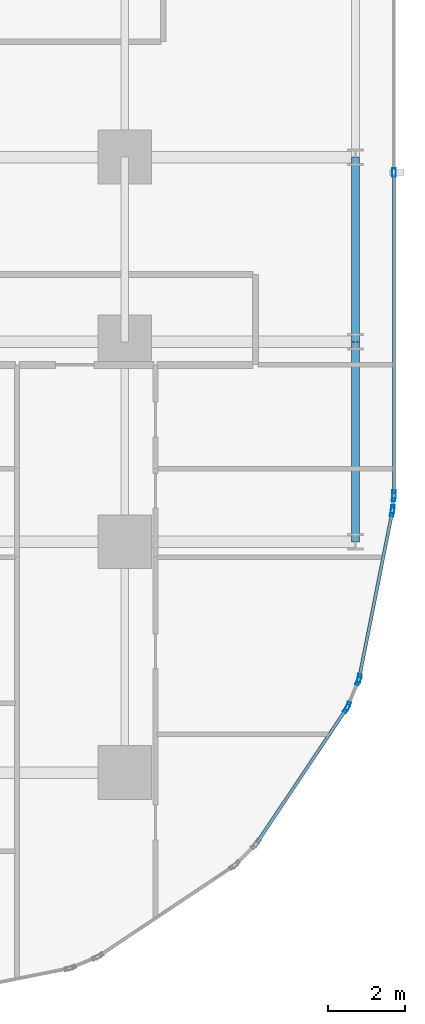
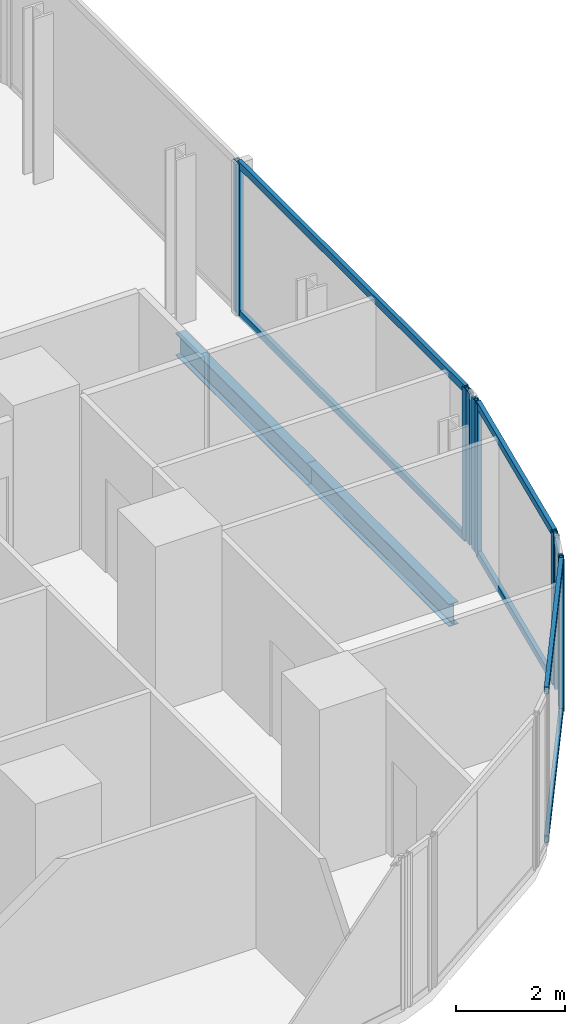
# One storey, part 18 of 35: 15 members, 2 beams, 5 elements without a shape of their own.
"""IFC4 building model written with IfcOpenShell, lengths in metres."""

from ifc_helpers import new_model, si_unit, direction, frame, origin, origin_2d, place, context, subcontext, project, spatial, hollow_rectangle, i_section, extrude, material, layer, layer_set, material_profile, profile_set, type_object, element, aggregate, save


model = new_model("IFC4")

# Units and contexts
model_context = context("Model", 3, precision=1e-05, world=origin(), true_north=direction((0.0, 1.0)))
body_context = subcontext(model_context, "Body", "Model", "MODEL_VIEW")
ifc_project = project(units=[si_unit("LENGTHUNIT", "METRE"), si_unit("AREAUNIT", "SQUARE_METRE"), si_unit("VOLUMEUNIT", "CUBIC_METRE"), si_unit("PLANEANGLEUNIT", "RADIAN"), si_unit("MASSUNIT", "GRAM", prefix="KILO")], contexts=[model_context])

# Site, building, storey
site_placement = place(None, origin())
site = spatial("IfcSite", under=ifc_project, at=site_placement, CompositionType="ELEMENT")
building_placement = place(site_placement, origin())
building = spatial("IfcBuilding", under=site, at=building_placement, Name="Keshet Zoharim Tower", CompositionType="ELEMENT")
storey_placement = place(building_placement, frame((0.0, 0.0, 24.0)))
storey = spatial("IfcBuildingStorey", under=building, at=storey_placement, Name="L04", CompositionType="ELEMENT", Elevation=24.0)

# Beams
ifc_material_1 = material(Name="Steel S355", Category="steel")
ifc_material_profile_1 = material_profile(ifc_material_1, i_section(OverallWidth=0.199951171875, OverallDepth=0.5, WebThickness=0.01025390625, FlangeThickness=0.01611328125, FilletRadius=0.02099609375, at=origin_2d()), Name="IPE500")
ifc_profile_set_1 = profile_set([ifc_material_profile_1], Name="Steel S355")
beam_type = type_object("IfcBeamType", Name="BM-PRI-IP500", PredefinedType="BEAM", material=ifc_profile_set_1)
beam_1_placement = place(storey_placement, frame((69.0, 12.699951171875, -0.56494140625), z_axis=(0.0, 1.0, 0.0), x_axis=(-1.0, 0.0, 0.0)))
element("IfcBeam", 1, at=beam_1_placement, inside=storey, type_object=beam_type, Name="L04 Primary Girder Y-023", PredefinedType="BEAM", context=body_context, shape_type="SweptSolid", body=[
    extrude(i_section(OverallWidth=0.199951171875, OverallDepth=0.5, WebThickness=0.01025390625, FlangeThickness=0.01611328125, FilletRadius=0.02099609375, at=origin_2d()), origin(), (0.0, 0.0, 1.0), 5.199951171875),
])
beam_2_placement = place(storey_placement, frame((69.0, 17.89990234375, -0.56494140625), z_axis=(0.0, 1.0, 0.0), x_axis=(-1.0, 0.0, 0.0)))
element("IfcBeam", 2, at=beam_2_placement, inside=storey, type_object=beam_type, Name="L04 Primary Girder Y-024", PredefinedType="BEAM", context=body_context, shape_type="SweptSolid", body=[
    extrude(i_section(OverallWidth=0.199951171875, OverallDepth=0.5, WebThickness=0.01025390625, FlangeThickness=0.01611328125, FilletRadius=0.02099609375, at=origin_2d()), origin(), (0.0, 0.0, 1.0), 4.800048828125),
])

# Curtain wall, members
ifc_material_2 = material(Name="Aluminium 6063-T6", Category="aluminium")
ifc_layer_1 = layer(ifc_material_2, 0.169921875)
ifc_layer_set_1 = layer_set([ifc_layer_1], Name="Aluminium 6063-T6")
curtain_wall_type_1 = type_object("IfcCurtainWallType", Name="CW-SYS-02", PredefinedType="NOTDEFINED", material=ifc_layer_set_1)
curtain_wall_1_placement = place(storey_placement, origin())
curtain_wall_1 = element("IfcCurtainWall", 3, at=curtain_wall_1_placement, inside=storey, type_object=curtain_wall_type_1, Name="L04 Unitised Curtain Wall 16", PredefinedType="NOTDEFINED")
ifc_material_profile_2 = material_profile(ifc_material_2, hollow_rectangle(XDim=0.090087890625, YDim=0.219970703125, WallThickness=0.0048828125, at=origin_2d()), Name="MUL-90x220")
ifc_profile_set_2 = profile_set([ifc_material_profile_2], Name="Aluminium 6063-T6")
member_type_1 = type_object("IfcMemberType", Name="CWM-M22", PredefinedType="MULLION", material=ifc_profile_set_2)
member_1_placement = place(storey_placement, frame((70.0, 22.298583984375, 0.0), z_axis=(0.0, 0.0, 1.0), x_axis=(1.0, 0.0, 0.0)))
member_1 = element("IfcMember", 4, at=member_1_placement, type_object=member_type_1, Name="CW-02 mullion 2", PredefinedType="MULLION", context=body_context, shape_type="SweptSolid", body=[
    extrude(hollow_rectangle(XDim=0.090087890625, YDim=0.219970703125, WallThickness=0.0048828125, at=origin_2d()), origin(), (0.0, 0.0, 1.0), 3.385009765625),
])
member_2_placement = place(storey_placement, frame((70.0, 13.931884765625, 0.0), z_axis=(0.0, 0.0, 1.0), x_axis=(1.0, 0.0, 0.0)))
member_2 = element("IfcMember", 5, at=member_2_placement, type_object=member_type_1, Name="CW-02 mullion 3", PredefinedType="MULLION", context=body_context, shape_type="SweptSolid", body=[
    extrude(hollow_rectangle(XDim=0.090087890625, YDim=0.219970703125, WallThickness=0.0048828125, at=origin_2d()), origin(), (0.0, 0.0, 1.0), 3.385009765625),
])

curtain_wall_2_placement = place(storey_placement, origin())
curtain_wall_2 = element("IfcCurtainWall", 6, at=curtain_wall_2_placement, inside=storey, type_object=curtain_wall_type_1, Name="L04 Unitised Curtain Wall 17", PredefinedType="NOTDEFINED")
member_3_placement = place(storey_placement, frame((69.99658203125, 13.862060546875, 0.0), z_axis=(0.0, 0.0, 1.0), x_axis=(0.995286657009, -0.096976648633, 0.0)))
member_3 = element("IfcMember", 7, at=member_3_placement, type_object=member_type_1, Name="CW-02 mullion 1", PredefinedType="MULLION", context=body_context, shape_type="SweptSolid", body=[
    extrude(hollow_rectangle(XDim=0.090087890625, YDim=0.219970703125, WallThickness=0.0048828125, at=origin_2d()), origin(), (0.0, 0.0, 1.0), 3.385009765625),
])
member_4_placement = place(storey_placement, frame((69.96533203125, 13.541748046875, 0.0), z_axis=(0.0, 0.0, 1.0), x_axis=(0.995286657009, -0.096976648633, 0.0)))
member_4 = element("IfcMember", 8, at=member_4_placement, type_object=member_type_1, Name="CW-02 mullion 2", PredefinedType="MULLION", context=body_context, shape_type="SweptSolid", body=[
    extrude(hollow_rectangle(XDim=0.090087890625, YDim=0.219970703125, WallThickness=0.0048828125, at=origin_2d()), origin(), (0.0, 0.0, 1.0), 3.385009765625),
])
aggregate(curtain_wall_2, [member_3, member_4])

curtain_wall_3_placement = place(storey_placement, origin())
curtain_wall_3 = element("IfcCurtainWall", 9, at=curtain_wall_3_placement, inside=storey, type_object=curtain_wall_type_1, Name="L04 Unitised Curtain Wall 18", PredefinedType="NOTDEFINED")
member_5_placement = place(storey_placement, frame((69.955078125, 13.47265625, 0.0), z_axis=(0.0, 0.0, 1.0), x_axis=(0.98076917357, -0.195171279072, 0.0)))
member_5 = element("IfcMember", 10, at=member_5_placement, type_object=member_type_1, Name="CW-02 mullion 1", PredefinedType="MULLION", context=body_context, shape_type="SweptSolid", body=[
    extrude(hollow_rectangle(XDim=0.090087890625, YDim=0.219970703125, WallThickness=0.0048828125, at=origin_2d()), origin(), (0.0, 0.0, 1.0), 3.385009765625),
])
member_6_placement = place(storey_placement, frame((69.0947265625, 9.1494140625, 0.0), z_axis=(0.0, 0.0, 1.0), x_axis=(0.98076917357, -0.195171279072, 0.0)))
member_6 = element("IfcMember", 11, at=member_6_placement, type_object=member_type_1, Name="CW-02 mullion 2", PredefinedType="MULLION", context=body_context, shape_type="SweptSolid", body=[
    extrude(hollow_rectangle(XDim=0.090087890625, YDim=0.219970703125, WallThickness=0.0048828125, at=origin_2d()), origin(), (0.0, 0.0, 1.0), 3.385009765625),
])

ifc_layer_2 = layer(ifc_material_2, 0.179931640625)
ifc_layer_set_2 = layer_set([ifc_layer_2], Name="Aluminium 6063-T6")
curtain_wall_type_2 = type_object("IfcCurtainWallType", Name="CW-SYS-01", PredefinedType="NOTDEFINED", material=ifc_layer_set_2)
curtain_wall_4_placement = place(storey_placement, origin())
curtain_wall_4 = element("IfcCurtainWall", 12, at=curtain_wall_4_placement, inside=storey, type_object=curtain_wall_type_2, Name="L04 Unitised Curtain Wall 19", PredefinedType="NOTDEFINED")
member_7_placement = place(storey_placement, frame((69.07470703125, 9.082763671875, 0.0), z_axis=(0.0, 0.0, 1.0), x_axis=(0.923720000557, -0.383068349739, 0.0)))
member_7 = element("IfcMember", 13, at=member_7_placement, type_object=member_type_1, Name="CW-01 mullion 1", PredefinedType="MULLION", context=body_context, shape_type="SweptSolid", body=[
    extrude(hollow_rectangle(XDim=0.090087890625, YDim=0.219970703125, WallThickness=0.0048828125, at=origin_2d()), origin(), (0.0, 0.0, 1.0), 3.385009765625),
])
member_8_placement = place(storey_placement, frame((68.802490234375, 8.42626953125, 0.0), z_axis=(0.0, 0.0, 1.0), x_axis=(0.923720000557, -0.383068349739, 0.0)))
member_8 = element("IfcMember", 14, at=member_8_placement, type_object=member_type_1, Name="CW-01 mullion 2", PredefinedType="MULLION", context=body_context, shape_type="SweptSolid", body=[
    extrude(hollow_rectangle(XDim=0.090087890625, YDim=0.219970703125, WallThickness=0.0048828125, at=origin_2d()), origin(), (0.0, 0.0, 1.0), 3.385009765625),
])
aggregate(curtain_wall_4, [member_7, member_8])

# Curtain wall, member
curtain_wall_5_placement = place(storey_placement, origin())
curtain_wall_5 = element("IfcCurtainWall", 15, at=curtain_wall_5_placement, inside=storey, type_object=curtain_wall_type_2, Name="L04 Unitised Curtain Wall 20", PredefinedType="NOTDEFINED")
member_9_placement = place(storey_placement, frame((68.76953125, 8.364990234375, 0.0), z_axis=(0.0, 0.0, 1.0), x_axis=(0.831474282335, -0.555563243758, 0.0)))
member_9 = element("IfcMember", 16, at=member_9_placement, type_object=member_type_1, Name="CW-01 mullion 1", PredefinedType="MULLION", context=body_context, shape_type="SweptSolid", body=[
    extrude(hollow_rectangle(XDim=0.090087890625, YDim=0.219970703125, WallThickness=0.0048828125, at=origin_2d()), origin(), (0.0, 0.0, 1.0), 3.385009765625),
])

# Member
ifc_material_profile_3 = material_profile(ifc_material_2, hollow_rectangle(XDim=0.0849609375, YDim=0.159912109375, WallThickness=0.00439453125, at=origin_2d()), Name="TRN-85x160")
ifc_profile_set_3 = profile_set([ifc_material_profile_3], Name="Aluminium 6063-T6")
member_type_2 = type_object("IfcMemberType", Name="CWT-T16", PredefinedType="USERDEFINED", material=ifc_profile_set_3)
member_10_placement = place(storey_placement, frame((70.0, 22.263427734375, 0.034912109375), z_axis=(0.0, -1.0, 0.0), x_axis=(1.0, 0.0, 0.0)))
member_10 = element("IfcMember", 17, at=member_10_placement, type_object=member_type_2, Name="CW-02 transom 2.1", ObjectType="TRANSOM", PredefinedType="USERDEFINED", context=body_context, shape_type="SweptSolid", body=[
    extrude(hollow_rectangle(XDim=0.0849609375, YDim=0.159912109375, WallThickness=0.00439453125, at=origin_2d()), origin(), (0.0, 0.0, 1.0), 8.29638671875),
])

member_11_placement = place(storey_placement, frame((70.0, 22.263427734375, 3.35009765625), z_axis=(0.0, -1.0, 0.0), x_axis=(1.0, 0.0, 0.0)))
member_11 = element("IfcMember", 18, at=member_11_placement, type_object=member_type_2, Name="CW-02 transom 2.2", ObjectType="TRANSOM", PredefinedType="USERDEFINED", context=body_context, shape_type="SweptSolid", body=[
    extrude(hollow_rectangle(XDim=0.0849609375, YDim=0.159912109375, WallThickness=0.00439453125, at=origin_2d()), origin(), (0.0, 0.0, 1.0), 8.29638671875),
])

aggregate(curtain_wall_1, [member_1, member_2, member_10, member_11])

member_12_placement = place(storey_placement, frame((69.9482421875, 13.438232421875, 0.034912109375), z_axis=(-0.195174459131, -0.980768540739, 0.0), x_axis=(0.980768540739, -0.195174459131, 0.0)))
member_12 = element("IfcMember", 19, at=member_12_placement, type_object=member_type_2, Name="CW-02 transom 1.1", ObjectType="TRANSOM", PredefinedType="USERDEFINED", context=body_context, shape_type="SweptSolid", body=[
    extrude(hollow_rectangle(XDim=0.0849609375, YDim=0.159912109375, WallThickness=0.00439453125, at=origin_2d()), origin(), (0.0, 0.0, 1.0), 4.338134765625),
])

member_13_placement = place(storey_placement, frame((69.9482421875, 13.438232421875, 3.35009765625), z_axis=(-0.195174459131, -0.980768540739, 0.0), x_axis=(0.980768540739, -0.195174459131, 0.0)))
member_13 = element("IfcMember", 20, at=member_13_placement, type_object=member_type_2, Name="CW-02 transom 1.2", ObjectType="TRANSOM", PredefinedType="USERDEFINED", context=body_context, shape_type="SweptSolid", body=[
    extrude(hollow_rectangle(XDim=0.0849609375, YDim=0.159912109375, WallThickness=0.00439453125, at=origin_2d()), origin(), (0.0, 0.0, 1.0), 4.338134765625),
])

aggregate(curtain_wall_3, [member_5, member_6, member_12, member_13])

member_14_placement = place(storey_placement, frame((68.75, 8.335693359375, 0.034912109375), z_axis=(-0.55555796544, -0.831477809106, 0.0), x_axis=(0.831477809106, -0.55555796544, 0.0)))
member_14 = element("IfcMember", 21, at=member_14_placement, type_object=member_type_2, Name="CW-01 transom 1.1", ObjectType="TRANSOM", PredefinedType="USERDEFINED", context=body_context, shape_type="SweptSolid", body=[
    extrude(hollow_rectangle(XDim=0.0849609375, YDim=0.159912109375, WallThickness=0.00439453125, at=origin_2d()), origin(), (0.0, 0.0, 1.0), 4.136474609375),
])

member_15_placement = place(storey_placement, frame((68.75, 8.335693359375, 3.35009765625), z_axis=(-0.55555796544, -0.831477809106, 0.0), x_axis=(0.831477809106, -0.55555796544, 0.0)))
member_15 = element("IfcMember", 22, at=member_15_placement, type_object=member_type_2, Name="CW-01 transom 1.2", ObjectType="TRANSOM", PredefinedType="USERDEFINED", context=body_context, shape_type="SweptSolid", body=[
    extrude(hollow_rectangle(XDim=0.0849609375, YDim=0.159912109375, WallThickness=0.00439453125, at=origin_2d()), origin(), (0.0, 0.0, 1.0), 4.136474609375),
])

aggregate(curtain_wall_5, [member_9, member_14, member_15])

save(model, "model.ifc")
